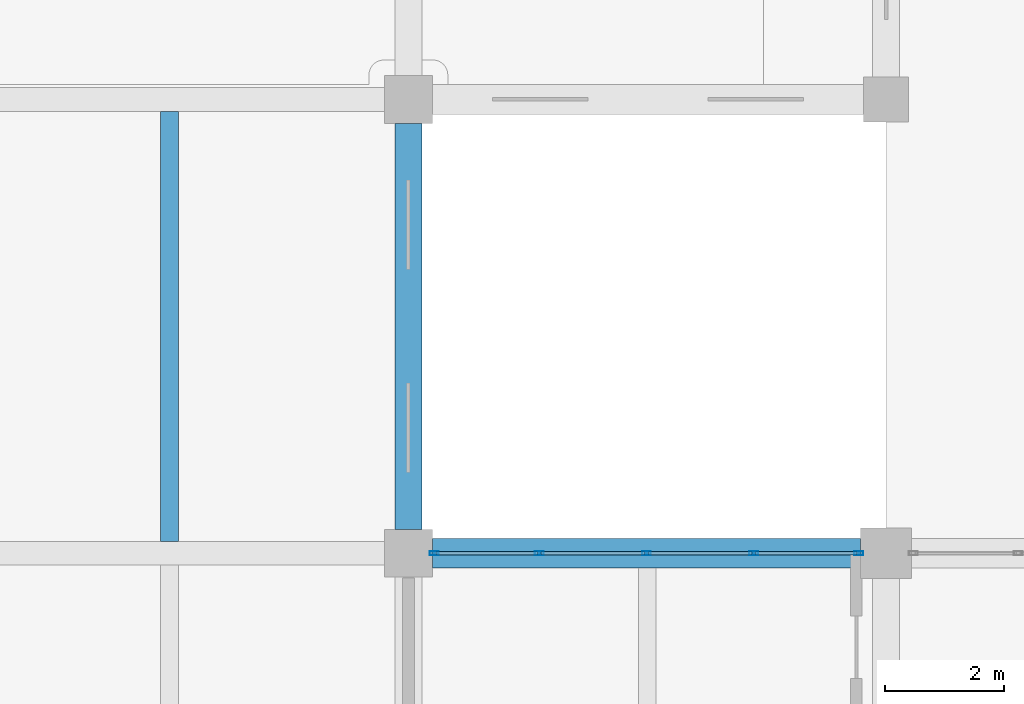
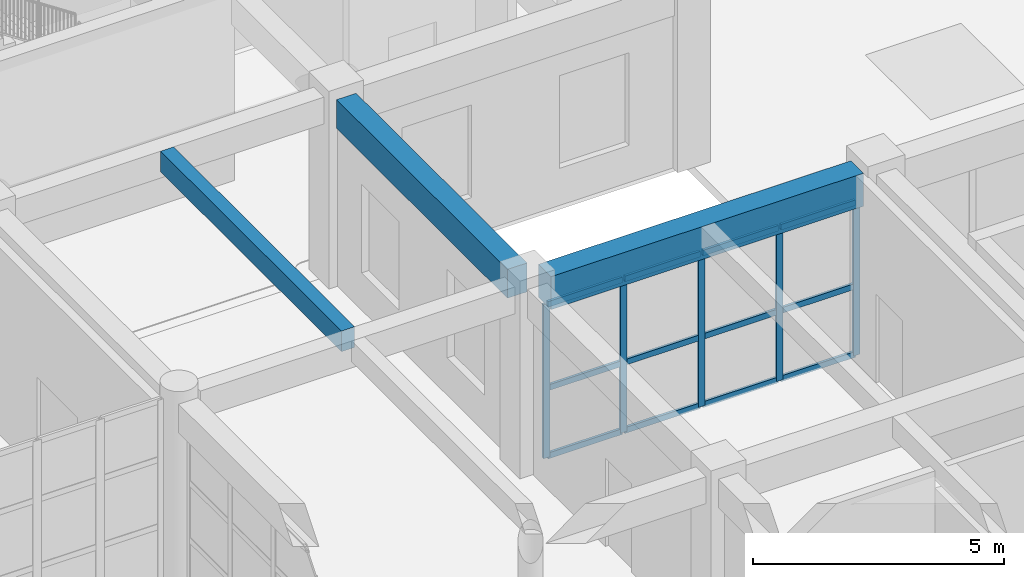
# One storey, part 38 of 101: 17 members, 3 beams, 1 element without a shape of its own.
"""IFC4 building model written with IfcOpenShell, lengths in metres."""

import ifcopenshell
import ifcopenshell.guid

model = None  # the IFC model being written
_history = None  # IfcOwnerHistory: only IFC2X3 demands one
_inside = {}  # id of a spatial element -> (the spatial element, [elements in it])
_under = {}  # id of a project, library or spatial element -> (it, [spatial elements below it])
_declared = {}  # id of a project -> (the project, [libraries it declares])
_typed = {}  # id of a type object -> (the type object, [elements of that type])
_made_of = {}  # id of a material, layer set ... -> (it, [elements and type objects made of it])


def new_model(schema):
    """Start an empty IFC model of exactly this schema.

    Asked for "IFC4X3", IfcOpenShell would pick the latest addendum, in which some entities
    have other attributes; the version numbers below select the first issue.
    IFC2X3 requires an IfcOwnerHistory on every rooted entity: one is made here for all.
    """
    global model, _history
    if schema == "IFC4X3":
        model = ifcopenshell.file(schema_version=(4, 3, 0, 0))
    else:
        model = ifcopenshell.file(schema=schema)
    _inside.clear()
    _under.clear()
    _declared.clear()
    _typed.clear()
    _made_of.clear()
    _history = None
    if model.schema == "IFC2X3":
        org = make("IfcOrganization", Name="unknown")
        user = make(
            "IfcPersonAndOrganization",
            ThePerson=make("IfcPerson", FamilyName="unknown"),
            TheOrganization=org,
        )
        app = make(
            "IfcApplication",
            ApplicationDeveloper=org,
            Version="unknown",
            ApplicationFullName="unknown",
            ApplicationIdentifier="unknown",
        )
        _history = make(
            "IfcOwnerHistory",
            OwningUser=user,
            OwningApplication=app,
            ChangeAction="ADDED",
            CreationDate=0,
        )
    return model


def make(cls, **values):
    """One entity of the class cls with the attributes given. An attribute that is None is left unset."""
    return model.create_entity(
        cls, **{name: value for name, value in values.items() if value is not None}
    )


def rooted(cls, **values):
    """An entity with a GlobalId (a new one), such as an element, a storey or a relation."""
    return make(cls, GlobalId=ifcopenshell.guid.new(), OwnerHistory=_history, **values)


def si_unit(unit_type, name, prefix=None):
    """IfcSIUnit, for example si_unit("LENGTHUNIT", "METRE", prefix="MILLI")."""
    return make("IfcSIUnit", UnitType=unit_type, Prefix=prefix, Name=name)


def assignment(units):
    """IfcUnitAssignment: the units of a project."""
    return None if units is None else make("IfcUnitAssignment", Units=units)


def point(xyz):
    """IfcCartesianPoint."""
    return None if xyz is None else make("IfcCartesianPoint", Coordinates=xyz)


def direction(xyz):
    """IfcDirection."""
    return None if xyz is None else make("IfcDirection", DirectionRatios=xyz)


def frame(location, z_axis=None, x_axis=None):
    """IfcAxis2Placement3D, a coordinate frame: its origin and axes. An axis left out is left unset."""
    return make(
        "IfcAxis2Placement3D",
        Location=point(location),
        Axis=direction(z_axis),
        RefDirection=direction(x_axis),
    )


def frame_2d(location, x_axis=None):
    """IfcAxis2Placement2D, a coordinate frame in the plane: its origin and x axis."""
    return make(
        "IfcAxis2Placement2D", Location=point(location), RefDirection=direction(x_axis)
    )


def origin():
    """The frame at (0, 0, 0) with its axes left unset."""
    return frame((0.0, 0.0, 0.0))


def origin_2d():
    """The frame at (0, 0) in the plane with its x axis left unset."""
    return frame_2d((0.0, 0.0))


def place(relative_to, where):
    """IfcLocalPlacement: puts the frame where relative to a parent placement (None: the world)."""
    return make(
        "IfcLocalPlacement", PlacementRelTo=relative_to, RelativePlacement=where
    )


def context(
    kind, dimensions, precision=None, world=None, true_north=None, identifier=None
):
    """IfcGeometricRepresentationContext, for example the 3D "Model" context."""
    return make(
        "IfcGeometricRepresentationContext",
        ContextIdentifier=identifier,
        ContextType=kind,
        CoordinateSpaceDimension=dimensions,
        Precision=precision,
        WorldCoordinateSystem=world,
        TrueNorth=true_north,
    )


def subcontext(parent, identifier, kind, view, scale=None):
    """IfcGeometricRepresentationSubContext, for example "Body" below "Model"."""
    return make(
        "IfcGeometricRepresentationSubContext",
        ContextIdentifier=identifier,
        ContextType=kind,
        ParentContext=parent,
        TargetScale=scale,
        TargetView=view,
    )


def project(units=None, contexts=None):
    """IfcProject with its units and contexts."""
    return rooted(
        "IfcProject",
        Name="project",
        RepresentationContexts=contexts,
        UnitsInContext=assignment(units),
    )


def spatial(cls, under=None, at=None, **own):
    """A site, building, storey or space (cls), placed at a placement, below another one or the project."""
    s = rooted(cls, ObjectPlacement=at, **own)
    if under is not None:
        _under.setdefault(under.id(), (under, []))[1].append(s)
    return s


def profile(cls, at=None, kind="AREA", **sizes):
    """A parametric profile (cls). Its sizes go by their IFC names, for example OverallWidth=200.0."""
    return make(cls, ProfileType=kind, Position=at, **sizes)


def rectangle(**sizes):
    """IfcRectangleProfileDef."""
    return profile("IfcRectangleProfileDef", **sizes)


def hollow_rectangle(**sizes):
    """IfcRectangleHollowProfileDef."""
    return profile("IfcRectangleHollowProfileDef", **sizes)


def extrude(swept, where, along, depth):
    """IfcExtrudedAreaSolid: the profile swept, set in the frame where, extruded along a direction by depth."""
    return make(
        "IfcExtrudedAreaSolid",
        SweptArea=swept,
        Position=where,
        ExtrudedDirection=direction(along),
        Depth=depth,
    )


def shape(context_of_items, identifier, shape_type, items):
    """IfcShapeRepresentation: the items that make up one representation, for example the "Body"."""
    return make(
        "IfcShapeRepresentation",
        ContextOfItems=context_of_items,
        RepresentationIdentifier=identifier,
        RepresentationType=shape_type,
        Items=items,
    )


def material(Name=None, Category=None):
    """IfcMaterial."""
    return make("IfcMaterial", Name=Name, Category=Category)


def material_profile(
    of_material, cross_section, Name=None, Category=None, Priority=None
):
    """IfcMaterialProfile: a cross section and its material."""
    return make(
        "IfcMaterialProfile",
        Name=Name,
        Material=of_material,
        Profile=cross_section,
        Priority=Priority,
        Category=Category,
    )


def profile_set(profiles, Name=None, composite=None):
    """IfcMaterialProfileSet."""
    return make(
        "IfcMaterialProfileSet",
        Name=Name,
        MaterialProfiles=profiles,
        CompositeProfile=composite,
    )


def made_of(thing, what):
    """Note that an element or type object is made of a material, layer set ...; save() writes the relation."""
    if what is not None:
        _made_of.setdefault(what.id(), (what, []))[1].append(thing)
    return thing


def type_object(cls, material=None, **own):
    """A type object (cls), such as IfcWallType, which elements share."""
    return made_of(rooted(cls, **own), material)


def element(
    cls,
    number,
    at=None,
    inside=None,
    cuts=None,
    type_object=None,
    material=None,
    context=None,
    identifier="Body",
    shape_type=None,
    held_by="IfcProductDefinitionShape",
    body=None,
    shapes=None,
    **own,
):
    """One element of the class cls, such as IfcWall. Its Tag is "e" and its number.

    at: its placement. inside: the storey or other place that contains it. cuts: it is an
    opening in that element (IfcRelVoidsElement). A single representation is given by context,
    identifier, shape_type and body (its items); several are given by shapes. held_by: the class
    of the entity that holds the representations. save() writes the other relations.
    """
    e = rooted(cls, Tag="e%d" % number, ObjectPlacement=at, **own)
    if body is not None:
        shapes = [shape(context, identifier, shape_type, body)]
    if shapes is not None:
        e.Representation = make(held_by, Representations=shapes)
    if inside is not None:
        _inside.setdefault(inside.id(), (inside, []))[1].append(e)
    if cuts is not None:
        rooted(
            "IfcRelVoidsElement", RelatingBuildingElement=cuts, RelatedOpeningElement=e
        )
    if type_object is not None:
        _typed.setdefault(type_object.id(), (type_object, []))[1].append(e)
    return made_of(e, material)


def aggregate(whole, parts):
    """IfcRelAggregates: a whole, such as a stair, and the parts it consists of."""
    return rooted("IfcRelAggregates", RelatingObject=whole, RelatedObjects=parts)


def save(model, path):
    """Write the relations noted so far, then the file.

    IfcRelAggregates (storeys below a building ...), IfcRelContainedInSpatialStructure (elements
    in a storey), IfcRelDefinesByType, IfcRelAssociatesMaterial and IfcRelDeclares: one each for
    every whole, place, type object, material and project.
    """
    for whole, parts in _under.values():
        aggregate(whole, parts)
    for where, things in _inside.values():
        rooted(
            "IfcRelContainedInSpatialStructure",
            RelatedElements=things,
            RelatingStructure=where,
        )
    for kind, things in _typed.values():
        rooted("IfcRelDefinesByType", RelatedObjects=things, RelatingType=kind)
    for what, things in _made_of.values():
        rooted("IfcRelAssociatesMaterial", RelatedObjects=things, RelatingMaterial=what)
    for by, libraries in _declared.values():
        rooted("IfcRelDeclares", RelatingContext=by, RelatedDefinitions=libraries)
    model.write(path)


model = new_model("IFC4")

# Units and contexts
model_context = context("Model", 3, precision=1e-05, world=origin(), true_north=direction((0.0, 1.0)))
body_context = subcontext(model_context, "Body", "Model", "MODEL_VIEW")
ifc_project = project(units=[si_unit("LENGTHUNIT", "METRE"), si_unit("AREAUNIT", "SQUARE_METRE"), si_unit("VOLUMEUNIT", "CUBIC_METRE"), si_unit("PLANEANGLEUNIT", "RADIAN"), si_unit("MASSUNIT", "GRAM", prefix="KILO")], contexts=[model_context])

# Site, building, storey
site_placement = place(None, origin())
site = spatial("IfcSite", under=ifc_project, at=site_placement, CompositionType="ELEMENT")
building_placement = place(site_placement, origin())
building = spatial("IfcBuilding", under=site, at=building_placement, Name="Zantavel Square City Hall", CompositionType="ELEMENT")
storey_placement = place(building_placement, frame((0.0, 0.0, 5.39990234375)))
storey = spatial("IfcBuildingStorey", under=building, at=storey_placement, Name="L02", CompositionType="ELEMENT", Elevation=5.39990234375)

# Curtain wall, members
ifc_material_1 = material(Name="Anodised aluminium 6063-T6", Category="aluminium")
curtain_wall_type = type_object("IfcCurtainWallType", Name="Curtain Wall TRV1 7175x3740", PredefinedType="USERDEFINED", material=ifc_material_1)
curtain_wall_placement = place(storey_placement, origin())
curtain_wall = element("IfcCurtainWall", 1, at=curtain_wall_placement, inside=storey, type_object=curtain_wall_type, Name="L02 Glazed Curtain Wall CW-L02-037", ObjectType="GLAZED CURTAIN WALL", PredefinedType="USERDEFINED")
ifc_material_profile_1 = material_profile(ifc_material_1, hollow_rectangle(XDim=0.06494140625, YDim=0.14990234375, WallThickness=0.00390625, at=origin_2d()), Name="ALU 65x150x4")
ifc_profile_set_1 = profile_set([ifc_material_profile_1], Name="Anodised aluminium 6063-T6")
member_type_1 = type_object("IfcMemberType", Name="CW Mullion ALU 65x150x4", PredefinedType="MULLION", material=ifc_profile_set_1)
member_1_placement = place(storey_placement, frame((56.429931640625, 68.39990234375, 0.0), z_axis=(0.0, 0.0, 1.0), x_axis=(0.0, 1.0, 0.0)))
member_1 = element("IfcMember", 2, at=member_1_placement, type_object=member_type_1, Name="CW-037 mullion 1", PredefinedType="MULLION", context=body_context, shape_type="SweptSolid", body=[
    extrude(hollow_rectangle(XDim=0.06494140625, YDim=0.14990234375, WallThickness=0.00390625, at=origin_2d()), origin(), (0.0, 0.0, 1.0), 3.739990234375),
])
member_2_placement = place(storey_placement, frame((58.19384765625, 68.39990234375, 0.0), z_axis=(0.0, 0.0, 1.0), x_axis=(0.0, 1.0, 0.0)))
member_2 = element("IfcMember", 3, at=member_2_placement, type_object=member_type_1, Name="CW-037 mullion 2", PredefinedType="MULLION", context=body_context, shape_type="SweptSolid", body=[
    extrude(hollow_rectangle(XDim=0.06494140625, YDim=0.14990234375, WallThickness=0.00390625, at=origin_2d()), origin(), (0.0, 0.0, 1.0), 3.739990234375),
])
member_3_placement = place(storey_placement, frame((59.987548828125, 68.39990234375, 0.0), z_axis=(0.0, 0.0, 1.0), x_axis=(0.0, 1.0, 0.0)))
member_3 = element("IfcMember", 4, at=member_3_placement, type_object=member_type_1, Name="CW-037 mullion 3", PredefinedType="MULLION", context=body_context, shape_type="SweptSolid", body=[
    extrude(hollow_rectangle(XDim=0.06494140625, YDim=0.14990234375, WallThickness=0.00390625, at=origin_2d()), origin(), (0.0, 0.0, 1.0), 3.739990234375),
])
member_4_placement = place(storey_placement, frame((61.78125, 68.39990234375, 0.0), z_axis=(0.0, 0.0, 1.0), x_axis=(0.0, 1.0, 0.0)))
member_4 = element("IfcMember", 5, at=member_4_placement, type_object=member_type_1, Name="CW-037 mullion 4", PredefinedType="MULLION", context=body_context, shape_type="SweptSolid", body=[
    extrude(hollow_rectangle(XDim=0.06494140625, YDim=0.14990234375, WallThickness=0.00390625, at=origin_2d()), origin(), (0.0, 0.0, 1.0), 3.739990234375),
])
member_5_placement = place(storey_placement, frame((63.544921875, 68.39990234375, 0.0), z_axis=(0.0, 0.0, 1.0), x_axis=(0.0, 1.0, 0.0)))
member_5 = element("IfcMember", 6, at=member_5_placement, type_object=member_type_1, Name="CW-037 mullion 5", PredefinedType="MULLION", context=body_context, shape_type="SweptSolid", body=[
    extrude(hollow_rectangle(XDim=0.06494140625, YDim=0.14990234375, WallThickness=0.00390625, at=origin_2d()), origin(), (0.0, 0.0, 1.0), 3.739990234375),
])
ifc_material_profile_2 = material_profile(ifc_material_1, hollow_rectangle(XDim=0.06005859375, YDim=0.139892578125, WallThickness=0.00390625, at=origin_2d()), Name="ALU 60x140x4")
ifc_profile_set_2 = profile_set([ifc_material_profile_2], Name="Anodised aluminium 6063-T6")
member_type_2 = type_object("IfcMemberType", Name="CW Transom ALU 60x140x4", PredefinedType="USERDEFINED", material=ifc_profile_set_2)
member_6_placement = place(storey_placement, frame((56.4599609375, 68.39990234375, 0.030029296875), z_axis=(1.0, 0.0, 0.0), x_axis=(0.0, 1.0, 0.0)))
member_6 = element("IfcMember", 7, at=member_6_placement, type_object=member_type_2, Name="CW-037 transom 1.1", ObjectType="TRANSOM", PredefinedType="USERDEFINED", context=body_context, shape_type="SweptSolid", body=[
    extrude(hollow_rectangle(XDim=0.06005859375, YDim=0.139892578125, WallThickness=0.00390625, at=origin_2d()), origin(), (0.0, 0.0, 1.0), 1.703857421875),
])
member_7_placement = place(storey_placement, frame((56.4599609375, 68.39990234375, 1.68310546875), z_axis=(1.0, 0.0, 0.0), x_axis=(0.0, 1.0, 0.0)))
member_7 = element("IfcMember", 8, at=member_7_placement, type_object=member_type_2, Name="CW-037 transom 1.2", ObjectType="TRANSOM", PredefinedType="USERDEFINED", context=body_context, shape_type="SweptSolid", body=[
    extrude(hollow_rectangle(XDim=0.06005859375, YDim=0.139892578125, WallThickness=0.00390625, at=origin_2d()), origin(), (0.0, 0.0, 1.0), 1.703857421875),
])
member_8_placement = place(storey_placement, frame((56.4599609375, 68.39990234375, 3.710205078125), z_axis=(1.0, 0.0, 0.0), x_axis=(0.0, 1.0, 0.0)))
member_8 = element("IfcMember", 9, at=member_8_placement, type_object=member_type_2, Name="CW-037 transom 1.3", ObjectType="TRANSOM", PredefinedType="USERDEFINED", context=body_context, shape_type="SweptSolid", body=[
    extrude(hollow_rectangle(XDim=0.06005859375, YDim=0.139892578125, WallThickness=0.00390625, at=origin_2d()), origin(), (0.0, 0.0, 1.0), 1.703857421875),
])
member_9_placement = place(storey_placement, frame((58.2236328125, 68.39990234375, 0.030029296875), z_axis=(1.0, 0.0, 0.0), x_axis=(0.0, 1.0, 0.0)))
member_9 = element("IfcMember", 10, at=member_9_placement, type_object=member_type_2, Name="CW-037 transom 2.1", ObjectType="TRANSOM", PredefinedType="USERDEFINED", context=body_context, shape_type="SweptSolid", body=[
    extrude(hollow_rectangle(XDim=0.06005859375, YDim=0.139892578125, WallThickness=0.00390625, at=origin_2d()), origin(), (0.0, 0.0, 1.0), 1.73388671875),
])
member_10_placement = place(storey_placement, frame((58.2236328125, 68.39990234375, 1.68310546875), z_axis=(1.0, 0.0, 0.0), x_axis=(0.0, 1.0, 0.0)))
member_10 = element("IfcMember", 11, at=member_10_placement, type_object=member_type_2, Name="CW-037 transom 2.2", ObjectType="TRANSOM", PredefinedType="USERDEFINED", context=body_context, shape_type="SweptSolid", body=[
    extrude(hollow_rectangle(XDim=0.06005859375, YDim=0.139892578125, WallThickness=0.00390625, at=origin_2d()), origin(), (0.0, 0.0, 1.0), 1.73388671875),
])
member_11_placement = place(storey_placement, frame((58.2236328125, 68.39990234375, 3.710205078125), z_axis=(1.0, 0.0, 0.0), x_axis=(0.0, 1.0, 0.0)))
member_11 = element("IfcMember", 12, at=member_11_placement, type_object=member_type_2, Name="CW-037 transom 2.3", ObjectType="TRANSOM", PredefinedType="USERDEFINED", context=body_context, shape_type="SweptSolid", body=[
    extrude(hollow_rectangle(XDim=0.06005859375, YDim=0.139892578125, WallThickness=0.00390625, at=origin_2d()), origin(), (0.0, 0.0, 1.0), 1.73388671875),
])
member_12_placement = place(storey_placement, frame((60.017578125, 68.39990234375, 0.030029296875), z_axis=(1.0, 0.0, 0.0), x_axis=(0.0, 1.0, 0.0)))
member_12 = element("IfcMember", 13, at=member_12_placement, type_object=member_type_2, Name="CW-037 transom 3.1", ObjectType="TRANSOM", PredefinedType="USERDEFINED", context=body_context, shape_type="SweptSolid", body=[
    extrude(hollow_rectangle(XDim=0.06005859375, YDim=0.139892578125, WallThickness=0.00390625, at=origin_2d()), origin(), (0.0, 0.0, 1.0), 1.733642578125),
])
member_13_placement = place(storey_placement, frame((60.017578125, 68.39990234375, 1.68310546875), z_axis=(1.0, 0.0, 0.0), x_axis=(0.0, 1.0, 0.0)))
member_13 = element("IfcMember", 14, at=member_13_placement, type_object=member_type_2, Name="CW-037 transom 3.2", ObjectType="TRANSOM", PredefinedType="USERDEFINED", context=body_context, shape_type="SweptSolid", body=[
    extrude(hollow_rectangle(XDim=0.06005859375, YDim=0.139892578125, WallThickness=0.00390625, at=origin_2d()), origin(), (0.0, 0.0, 1.0), 1.733642578125),
])
member_14_placement = place(storey_placement, frame((60.017578125, 68.39990234375, 3.710205078125), z_axis=(1.0, 0.0, 0.0), x_axis=(0.0, 1.0, 0.0)))
member_14 = element("IfcMember", 15, at=member_14_placement, type_object=member_type_2, Name="CW-037 transom 3.3", ObjectType="TRANSOM", PredefinedType="USERDEFINED", context=body_context, shape_type="SweptSolid", body=[
    extrude(hollow_rectangle(XDim=0.06005859375, YDim=0.139892578125, WallThickness=0.00390625, at=origin_2d()), origin(), (0.0, 0.0, 1.0), 1.733642578125),
])
member_15_placement = place(storey_placement, frame((61.811279296875, 68.39990234375, 0.030029296875), z_axis=(1.0, 0.0, 0.0), x_axis=(0.0, 1.0, 0.0)))
member_15 = element("IfcMember", 16, at=member_15_placement, type_object=member_type_2, Name="CW-037 transom 4.1", ObjectType="TRANSOM", PredefinedType="USERDEFINED", context=body_context, shape_type="SweptSolid", body=[
    extrude(hollow_rectangle(XDim=0.06005859375, YDim=0.139892578125, WallThickness=0.00390625, at=origin_2d()), origin(), (0.0, 0.0, 1.0), 1.70361328125),
])
member_16_placement = place(storey_placement, frame((61.811279296875, 68.39990234375, 1.68310546875), z_axis=(1.0, 0.0, 0.0), x_axis=(0.0, 1.0, 0.0)))
member_16 = element("IfcMember", 17, at=member_16_placement, type_object=member_type_2, Name="CW-037 transom 4.2", ObjectType="TRANSOM", PredefinedType="USERDEFINED", context=body_context, shape_type="SweptSolid", body=[
    extrude(hollow_rectangle(XDim=0.06005859375, YDim=0.139892578125, WallThickness=0.00390625, at=origin_2d()), origin(), (0.0, 0.0, 1.0), 1.70361328125),
])
member_17_placement = place(storey_placement, frame((61.811279296875, 68.39990234375, 3.710205078125), z_axis=(1.0, 0.0, 0.0), x_axis=(0.0, 1.0, 0.0)))
member_17 = element("IfcMember", 18, at=member_17_placement, type_object=member_type_2, Name="CW-037 transom 4.3", ObjectType="TRANSOM", PredefinedType="USERDEFINED", context=body_context, shape_type="SweptSolid", body=[
    extrude(hollow_rectangle(XDim=0.06005859375, YDim=0.139892578125, WallThickness=0.00390625, at=origin_2d()), origin(), (0.0, 0.0, 1.0), 1.70361328125),
])
aggregate(curtain_wall, [member_1, member_2, member_3, member_4, member_5, member_6, member_7, member_8, member_9, member_10, member_11, member_12, member_13, member_14, member_15, member_16, member_17])

# Beams
ifc_material_2 = material(Name="Concrete C35/45", Category="concrete")
ifc_material_profile_3 = material_profile(ifc_material_2, rectangle(XDim=0.300048828125, YDim=0.5, at=origin_2d()), Name="RC 300x500")
ifc_profile_set_3 = profile_set([ifc_material_profile_3], Name="Concrete C35/45")
beam_type_1 = type_object("IfcBeamType", Name="Floor Joist RC 300x500 C35/45", PredefinedType="JOIST", material=ifc_profile_set_3)
beam_1_placement = place(storey_placement, frame((52.0, 68.60009765625, 4.2900390625), z_axis=(0.0, 1.0, 0.0), x_axis=(-1.0, 0.0, 0.0)))
element("IfcBeam", 19, at=beam_1_placement, inside=storey, type_object=beam_type_1, Name="L02 Floor Joist JST-L02-0520-0684", PredefinedType="JOIST", context=body_context, shape_type="SweptSolid", body=[
    extrude(rectangle(XDim=0.300048828125, YDim=0.5, at=origin_2d()), origin(), (0.0, 0.0, 1.0), 7.199951171875),
])
ifc_material_profile_4 = material_profile(ifc_material_2, rectangle(XDim=0.449951171875, YDim=0.699951171875, at=origin_2d()), Name="RC 450x700")
ifc_profile_set_4 = profile_set([ifc_material_profile_4], Name="Concrete C35/45")
beam_type_2 = type_object("IfcBeamType", Name="Primary Girder RC 450x700 C35/45", PredefinedType="BEAM", material=ifc_profile_set_4)
beam_2_placement = place(storey_placement, frame((56.0, 68.800048828125, 4.190185546875), z_axis=(0.0, 1.0, 0.0), x_axis=(-1.0, 0.0, 0.0)))
element("IfcBeam", 20, at=beam_2_placement, inside=storey, type_object=beam_type_2, Name="L02 Beam BMY-L02-0560-0684", PredefinedType="BEAM", context=body_context, shape_type="SweptSolid", body=[
    extrude(rectangle(XDim=0.449951171875, YDim=0.699951171875, at=origin_2d()), origin(), (0.0, 0.0, 1.0), 6.800048828125),
])
ifc_material_profile_5 = material_profile(ifc_material_2, rectangle(XDim=0.5, YDim=0.800048828125, at=origin_2d()), Name="RC 500x800")
ifc_profile_set_5 = profile_set([ifc_material_profile_5], Name="Concrete C35/45")
beam_type_3 = type_object("IfcBeamType", Name="Primary Girder RC 500x800 C35/45", PredefinedType="BEAM", material=ifc_profile_set_5)
beam_3_placement = place(storey_placement, frame((56.39990234375, 68.39990234375, 4.14013671875), z_axis=(1.0, 0.0, 0.0), x_axis=(0.0, 1.0, 0.0)))
element("IfcBeam", 21, at=beam_3_placement, inside=storey, type_object=beam_type_3, Name="L02 Girder BMX-L02-0560-0684", PredefinedType="BEAM", context=body_context, shape_type="SweptSolid", body=[
    extrude(rectangle(XDim=0.5, YDim=0.800048828125, at=origin_2d()), origin(), (0.0, 0.0, 1.0), 7.175048828125),
])

save(model, "model.ifc")
